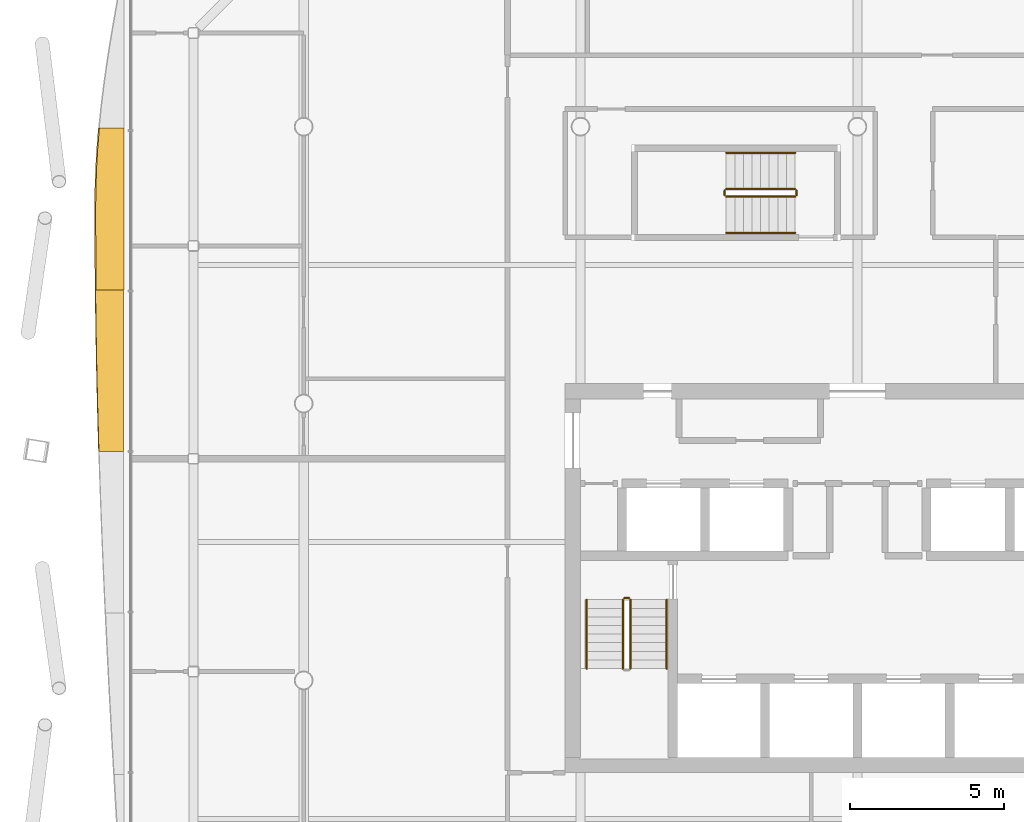
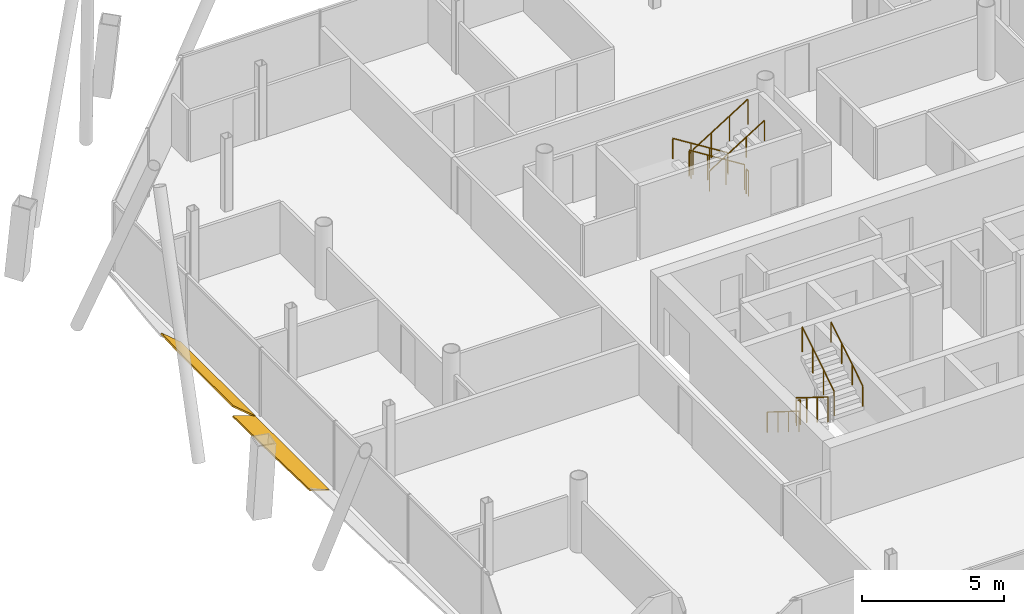
# One storey, part 18 of 20: 11 railings, 2 shading devices.
"""IFC4 building model written with IfcOpenShell, lengths in metres."""

from ifc_helpers import new_model, si_unit, direction, frame, origin, origin_2d, place, context, subcontext, project, spatial, polyline, circle, outline, extrude, material, layer, layer_set, type_object, element, save


model = new_model("IFC4")

# Units and contexts
model_context = context("Model", 3, precision=1e-05, world=origin(), true_north=direction((0.0, 1.0)))
body_context = subcontext(model_context, "Body", "Model", "MODEL_VIEW")
ifc_project = project(units=[si_unit("LENGTHUNIT", "METRE"), si_unit("AREAUNIT", "SQUARE_METRE"), si_unit("VOLUMEUNIT", "CUBIC_METRE"), si_unit("PLANEANGLEUNIT", "RADIAN"), si_unit("MASSUNIT", "GRAM", prefix="KILO")], contexts=[model_context])

# Site, building, storey
site_placement = place(None, origin())
site = spatial("IfcSite", under=ifc_project, at=site_placement, CompositionType="ELEMENT")
building_placement = place(site_placement, origin())
building = spatial("IfcBuilding", under=site, at=building_placement, Name="Tskaro Facet Tower", CompositionType="ELEMENT")
storey_placement = place(building_placement, frame((0.0, 0.0, 181.64990234375)))
storey = spatial("IfcBuildingStorey", under=building, at=storey_placement, Name="L45", CompositionType="ELEMENT", Elevation=181.64990234375)

# Shading devices
ifc_material_1 = material(Name="Bronze anodised aluminium 6063-T6", Category="aluminium")
ifc_layer = layer(ifc_material_1, 0.06005859375, Name="Bronze anodised aluminium 6063-T6")
ifc_layer_set = layer_set([ifc_layer], Name="Bronze anodised aluminium 6063-T6")
shading_device_type = type_object("IfcShadingDeviceType", Name="Bronze sun blade (FN1)", PredefinedType="USERDEFINED", material=ifc_layer_set)
shading_device_1_placement = place(storey_placement, frame((-23.83935546875, 8.951171875, 0.046142578125), z_axis=(0.642700917491, 3.688886e-06, 0.766117178141), x_axis=(2.370851e-06, -0.999999999993, 2.826119e-06)))
element("IfcShadingDevice", 1, at=shading_device_1_placement, inside=storey, type_object=shading_device_type, Name="Fin blade west 2", ObjectType="FIN", PredefinedType="USERDEFINED", context=body_context, shape_type="SweptSolid", body=[
    extrude(outline(polyline([(0.0, 0.0), (5.25292968746426, 1.112351128730684e-21), (5.252929687203655, -1.184128465289096), (4.59619140608813, -1.1924435206642665), (3.9396972653983773, -1.1981638876000724), (3.28295898468552, -1.2017904252305804), (2.626464843930764, -1.2033532644788014), (2.5634765626811924, -1.2033532644788014), (1.9697265624440765, -1.1946942593732497), (1.3132324219473421, -1.1654045252334575), (0.6564941407228929, -1.116015052116502), (-4.46945953363921e-10, -1.0470568300794598), (0.0, 0.0)])), origin(), (0.0, 0.0, -1.0), 0.06005859375),
])
shading_device_2_placement = place(storey_placement, frame((-23.857421875, 3.6982421875, 0.056396484375), z_axis=(0.342027955516, -1.8515104e-05, 0.939689777162), x_axis=(-6.332683e-06, -0.999999999829, -1.7398454e-05)))
element("IfcShadingDevice", 2, at=shading_device_2_placement, inside=storey, type_object=shading_device_type, Name="Fin blade west 3", ObjectType="FIN", PredefinedType="USERDEFINED", context=body_context, shape_type="SweptSolid", body=[
    extrude(outline(polyline([(0.0, 0.0), (5.252685545974666, 4.4491977197695976e-21), (5.252685547646356, -0.8482461753375026), (4.596191406090623, -0.8687916594977041), (3.939453123128877, -0.887793639122972), (3.2829589842587077, -0.905168611294465), (2.626220702436462, -0.9207706624814829), (1.969726563159726, -0.9345162897651837), (1.3132324231019377, -0.9467184125139514), (0.656494138546008, -0.956918197828702), (-1.9183465001824734e-09, -0.9654909756896777), (0.0, 0.0)])), origin(), (0.0, 0.0, -1.0), 0.06005859375),
])

# Railings
ifc_material_2 = material(Name="Stainless steel", Category="steel")
railing_type_1 = type_object("IfcRailingType", Name="RL-GUARD-1100", PredefinedType="GUARDRAIL", material=ifc_material_2)
railing_1_placement = place(storey_placement, frame((-7.625, -6.375, 0.175048828125)))
element("IfcRailing", 3, at=railing_1_placement, inside=storey, type_object=railing_type_1, Name="L45 ST-1 stair guard 1", PredefinedType="GUARDRAIL", context=body_context, shape_type="SweptSolid", body=[
    extrude(circle(Radius=0.02392578125, at=origin_2d()), frame((0.0, 0.0, 1.076171875), z_axis=(0.0, -0.847972341737, 0.530040477369), x_axis=(1.0, 0.0, 0.0)), (0.0, 0.0, 1.0), 2.6416015625),
    extrude(circle(Radius=0.02099609375, at=origin_2d()), origin(), (0.0, 0.0, 1.0), 1.052001953125),
    extrude(circle(Radius=0.02099609375, at=origin_2d()), frame((0.0, -0.74658203125, 0.466796875)), (0.0, 0.0, 1.0), 1.052001953125),
    extrude(circle(Radius=0.02099609375, at=origin_2d()), frame((0.0, -1.493408203125, 0.933349609375)), (0.0, 0.0, 1.0), 1.052001953125),
    extrude(circle(Radius=0.02099609375, at=origin_2d()), frame((0.0, -2.239990234375, 1.400146484375)), (0.0, 0.0, 1.0), 1.052001953125),
])
railing_2_placement = place(storey_placement, frame((-7.375, -8.614990234375, 1.75)))
element("IfcRailing", 4, at=railing_2_placement, inside=storey, type_object=railing_type_1, Name="L45 ST-1 stair guard 3", PredefinedType="GUARDRAIL", context=body_context, shape_type="SweptSolid", body=[
    extrude(circle(Radius=0.02392578125, at=origin_2d()), frame((0.0, 0.0, 1.076171875), z_axis=(0.0, 0.847972341737, 0.530040477369), x_axis=(-1.0, 0.0, 0.0)), (0.0, 0.0, 1.0), 2.6416015625),
    extrude(circle(Radius=0.02099609375, at=origin_2d()), origin(), (0.0, 0.0, 1.0), 1.052001953125),
    extrude(circle(Radius=0.02099609375, at=origin_2d()), frame((0.0, 0.74658203125, 0.466796875)), (0.0, 0.0, 1.0), 1.052001953125),
    extrude(circle(Radius=0.02099609375, at=origin_2d()), frame((0.0, 1.493408203125, 0.933349609375)), (0.0, 0.0, 1.0), 1.052001953125),
    extrude(circle(Radius=0.02099609375, at=origin_2d()), frame((0.0, 2.239990234375, 1.400146484375)), (0.0, 0.0, 1.0), 1.052001953125),
])
railing_3_placement = place(storey_placement, frame((-7.574951171875, -6.324951171875, 0.0)))
element("IfcRailing", 5, at=railing_3_placement, inside=storey, type_object=railing_type_1, Name="L45 ST-1 stair guard 4", PredefinedType="GUARDRAIL", context=body_context, shape_type="SweptSolid", body=[
    extrude(circle(Radius=0.02392578125, at=origin_2d()), frame((0.0, 0.0, 1.076171875), z_axis=(1.0, 0.0, 0.0), x_axis=(0.0, 1.0, 0.0)), (0.0, 0.0, 1.0), 0.14990234375),
    extrude(circle(Radius=0.02099609375, at=origin_2d()), origin(), (0.0, 0.0, 1.0), 1.052001953125),
    extrude(circle(Radius=0.02099609375, at=origin_2d()), frame((0.14990234375, 0.0, 0.0)), (0.0, 0.0, 1.0), 1.052001953125),
])
railing_4_placement = place(storey_placement, frame((-2.02490234375, 6.97509765625, 0.175048828125)))
element("IfcRailing", 6, at=railing_4_placement, inside=storey, type_object=railing_type_1, Name="L45 ST-3 stair guard 1", PredefinedType="GUARDRAIL", context=body_context, shape_type="SweptSolid", body=[
    extrude(circle(Radius=0.02392578125, at=origin_2d()), frame((0.0, 0.0, 1.076171875), z_axis=(-0.847972341737, 0.0, 0.530040477369), x_axis=(0.0, -1.0, 0.0)), (0.0, 0.0, 1.0), 2.6416015625),
    extrude(circle(Radius=0.02099609375, at=origin_2d()), origin(), (0.0, 0.0, 1.0), 1.052001953125),
    extrude(circle(Radius=0.02099609375, at=origin_2d()), frame((-0.74658203125, 0.0, 0.466796875)), (0.0, 0.0, 1.0), 1.052001953125),
    extrude(circle(Radius=0.02099609375, at=origin_2d()), frame((-1.493408203125, 0.0, 0.933349609375)), (0.0, 0.0, 1.0), 1.052001953125),
    extrude(circle(Radius=0.02099609375, at=origin_2d()), frame((-2.239990234375, 0.0, 1.400146484375)), (0.0, 0.0, 1.0), 1.052001953125),
])
railing_5_placement = place(storey_placement, frame((-4.31494140625, 6.925048828125, 1.5751953125)))
element("IfcRailing", 7, at=railing_5_placement, inside=storey, type_object=railing_type_1, Name="L45 ST-3 stair guard 2", PredefinedType="GUARDRAIL", context=body_context, shape_type="SweptSolid", body=[
    extrude(circle(Radius=0.02392578125, at=origin_2d()), frame((0.0, 0.0, 1.076171875), z_axis=(0.0, -1.0, 0.0), x_axis=(1.0, 0.0, 0.0)), (0.0, 0.0, 1.0), 0.150146484375),
    extrude(circle(Radius=0.02099609375, at=origin_2d()), origin(), (0.0, 0.0, 1.0), 1.052001953125),
    extrude(circle(Radius=0.02099609375, at=origin_2d()), frame((0.0, -0.150146484375, 0.0)), (0.0, 0.0, 1.0), 1.052001953125),
])
railing_6_placement = place(storey_placement, frame((-4.264892578125, 6.72509765625, 1.75)))
element("IfcRailing", 8, at=railing_6_placement, inside=storey, type_object=railing_type_1, Name="L45 ST-3 stair guard 3", PredefinedType="GUARDRAIL", context=body_context, shape_type="SweptSolid", body=[
    extrude(circle(Radius=0.02392578125, at=origin_2d()), frame((0.0, 0.0, 1.076171875), z_axis=(0.847972341737, 0.0, 0.530040477369), x_axis=(0.0, 1.0, 0.0)), (0.0, 0.0, 1.0), 2.6416015625),
    extrude(circle(Radius=0.02099609375, at=origin_2d()), origin(), (0.0, 0.0, 1.0), 1.052001953125),
    extrude(circle(Radius=0.02099609375, at=origin_2d()), frame((0.74658203125, 0.0, 0.466796875)), (0.0, 0.0, 1.0), 1.052001953125),
    extrude(circle(Radius=0.02099609375, at=origin_2d()), frame((1.493408203125, 0.0, 0.933349609375)), (0.0, 0.0, 1.0), 1.052001953125),
    extrude(circle(Radius=0.02099609375, at=origin_2d()), frame((2.239990234375, 0.0, 1.400146484375)), (0.0, 0.0, 1.0), 1.052001953125),
])
railing_7_placement = place(storey_placement, frame((-1.97509765625, 6.925048828125, 0.0)))
element("IfcRailing", 9, at=railing_7_placement, inside=storey, type_object=railing_type_1, Name="L45 ST-3 stair guard 4", PredefinedType="GUARDRAIL", context=body_context, shape_type="SweptSolid", body=[
    extrude(circle(Radius=0.02392578125, at=origin_2d()), frame((0.0, 0.0, 1.076171875), z_axis=(0.0, -1.0, 0.0), x_axis=(1.0, 0.0, 0.0)), (0.0, 0.0, 1.0), 0.150146484375),
    extrude(circle(Radius=0.02099609375, at=origin_2d()), origin(), (0.0, 0.0, 1.0), 1.052001953125),
    extrude(circle(Radius=0.02099609375, at=origin_2d()), frame((0.0, -0.150146484375, 0.0)), (0.0, 0.0, 1.0), 1.052001953125),
])
railing_type_2 = type_object("IfcRailingType", Name="RL-HANDRAIL-900", PredefinedType="HANDRAIL", material=ifc_material_2)
railing_8_placement = place(storey_placement, frame((-8.800048828125, -6.375, 0.175048828125)))
element("IfcRailing", 10, at=railing_8_placement, inside=storey, type_object=railing_type_2, Name="L45 ST-1 stair handrail 1", PredefinedType="HANDRAIL", context=body_context, shape_type="SweptSolid", body=[
    extrude(circle(Radius=0.02392578125, at=origin_2d()), frame((0.0, 0.0, 0.8759765625), z_axis=(0.0, -0.847972341737, 0.530040477369), x_axis=(1.0, 0.0, 0.0)), (0.0, 0.0, 1.0), 2.6416015625),
    extrude(circle(Radius=0.02099609375, at=origin_2d()), origin(), (0.0, 0.0, 1.0), 0.851806640625),
    extrude(circle(Radius=0.02099609375, at=origin_2d()), frame((0.0, -0.74658203125, 0.466796875)), (0.0, 0.0, 1.0), 0.851806640625),
    extrude(circle(Radius=0.02099609375, at=origin_2d()), frame((0.0, -1.493408203125, 0.933349609375)), (0.0, 0.0, 1.0), 0.851806640625),
    extrude(circle(Radius=0.02099609375, at=origin_2d()), frame((0.0, -2.239990234375, 1.400146484375)), (0.0, 0.0, 1.0), 0.851806640625),
])
railing_9_placement = place(storey_placement, frame((-6.199951171875, -8.614990234375, 1.75)))
element("IfcRailing", 11, at=railing_9_placement, inside=storey, type_object=railing_type_2, Name="L45 ST-1 stair handrail 2", PredefinedType="HANDRAIL", context=body_context, shape_type="SweptSolid", body=[
    extrude(circle(Radius=0.02392578125, at=origin_2d()), frame((0.0, 0.0, 0.8759765625), z_axis=(0.0, 0.847972341737, 0.530040477369), x_axis=(-1.0, 0.0, 0.0)), (0.0, 0.0, 1.0), 2.6416015625),
    extrude(circle(Radius=0.02099609375, at=origin_2d()), origin(), (0.0, 0.0, 1.0), 0.851806640625),
    extrude(circle(Radius=0.02099609375, at=origin_2d()), frame((0.0, 0.74658203125, 0.466796875)), (0.0, 0.0, 1.0), 0.851806640625),
    extrude(circle(Radius=0.02099609375, at=origin_2d()), frame((0.0, 1.493408203125, 0.933349609375)), (0.0, 0.0, 1.0), 0.851806640625),
    extrude(circle(Radius=0.02099609375, at=origin_2d()), frame((0.0, 2.239990234375, 1.400146484375)), (0.0, 0.0, 1.0), 0.851806640625),
])
railing_10_placement = place(storey_placement, frame((-2.02490234375, 8.14990234375, 0.175048828125)))
element("IfcRailing", 12, at=railing_10_placement, inside=storey, type_object=railing_type_2, Name="L45 ST-3 stair handrail 1", PredefinedType="HANDRAIL", context=body_context, shape_type="SweptSolid", body=[
    extrude(circle(Radius=0.02392578125, at=origin_2d()), frame((0.0, 0.0, 0.8759765625), z_axis=(-0.847972341737, 0.0, 0.530040477369), x_axis=(0.0, -1.0, 0.0)), (0.0, 0.0, 1.0), 2.6416015625),
    extrude(circle(Radius=0.02099609375, at=origin_2d()), origin(), (0.0, 0.0, 1.0), 0.851806640625),
    extrude(circle(Radius=0.02099609375, at=origin_2d()), frame((-0.74658203125, 0.0, 0.466796875)), (0.0, 0.0, 1.0), 0.851806640625),
    extrude(circle(Radius=0.02099609375, at=origin_2d()), frame((-1.493408203125, 0.0, 0.933349609375)), (0.0, 0.0, 1.0), 0.851806640625),
    extrude(circle(Radius=0.02099609375, at=origin_2d()), frame((-2.239990234375, 0.0, 1.400146484375)), (0.0, 0.0, 1.0), 0.851806640625),
])
railing_11_placement = place(storey_placement, frame((-4.264892578125, 5.550048828125, 1.75)))
element("IfcRailing", 13, at=railing_11_placement, inside=storey, type_object=railing_type_2, Name="L45 ST-3 stair handrail 2", PredefinedType="HANDRAIL", context=body_context, shape_type="SweptSolid", body=[
    extrude(circle(Radius=0.02392578125, at=origin_2d()), frame((0.0, 0.0, 0.8759765625), z_axis=(0.847972341737, 0.0, 0.530040477369), x_axis=(0.0, 1.0, 0.0)), (0.0, 0.0, 1.0), 2.6416015625),
    extrude(circle(Radius=0.02099609375, at=origin_2d()), origin(), (0.0, 0.0, 1.0), 0.851806640625),
    extrude(circle(Radius=0.02099609375, at=origin_2d()), frame((0.74658203125, 0.0, 0.466796875)), (0.0, 0.0, 1.0), 0.851806640625),
    extrude(circle(Radius=0.02099609375, at=origin_2d()), frame((1.493408203125, 0.0, 0.933349609375)), (0.0, 0.0, 1.0), 0.851806640625),
    extrude(circle(Radius=0.02099609375, at=origin_2d()), frame((2.239990234375, 0.0, 1.400146484375)), (0.0, 0.0, 1.0), 0.851806640625),
])

save(model, "model.ifc")
